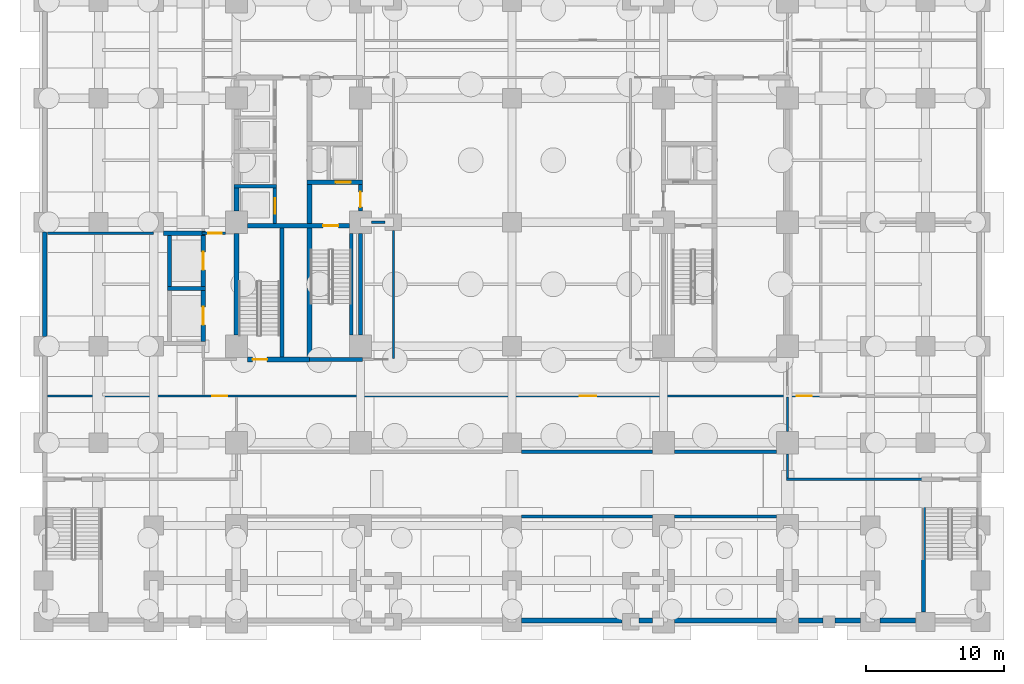
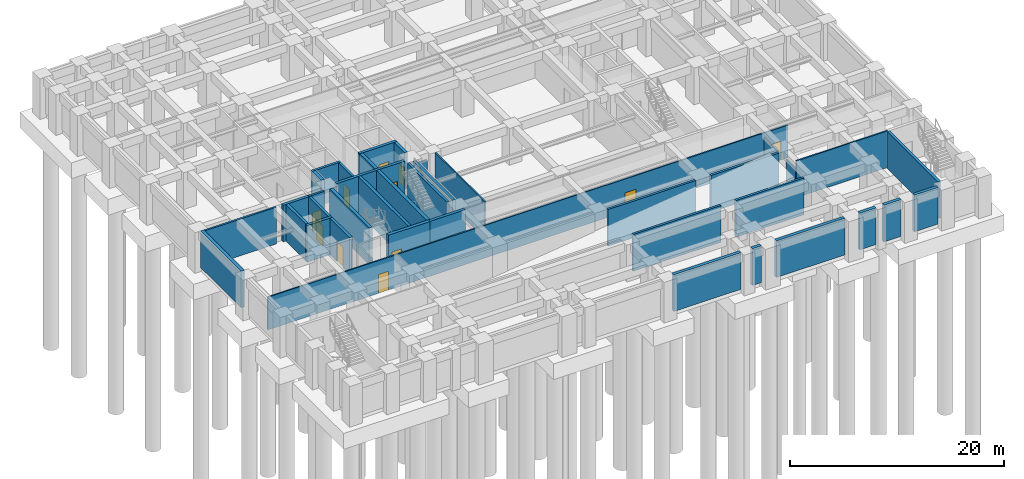
# One storey, part 6 of 16: 39 walls, 11 doors, 11 openings.
"""IFC4 building model written with IfcOpenShell, lengths in metres."""

from ifc_helpers import new_model, si_unit, direction, frame, frame_2d, origin, place, context, subcontext, project, spatial, rectangle, extrude, material, layer, layer_set, type_object, element, fill, save


model = new_model("IFC4")

# Units and contexts
model_context = context("Model", 3, precision=1e-05, world=origin(), true_north=direction((0.0, 1.0)))
body_context = subcontext(model_context, "Body", "Model", "MODEL_VIEW")
ifc_project = project(units=[si_unit("LENGTHUNIT", "METRE"), si_unit("AREAUNIT", "SQUARE_METRE"), si_unit("VOLUMEUNIT", "CUBIC_METRE"), si_unit("PLANEANGLEUNIT", "RADIAN"), si_unit("MASSUNIT", "GRAM", prefix="KILO")], contexts=[model_context])

# Site, building, storey
site_placement = place(None, origin())
site = spatial("IfcSite", under=ifc_project, at=site_placement, CompositionType="ELEMENT")
building_placement = place(site_placement, origin())
building = spatial("IfcBuilding", under=site, at=building_placement, Name="Zulmaris Gate Convention Tower", CompositionType="ELEMENT")
storey_placement = place(building_placement, frame((0.0, 0.0, -9.10009765625)))
storey = spatial("IfcBuildingStorey", under=building, at=storey_placement, Name="B2", CompositionType="ELEMENT", Elevation=-9.10009765625)

# Walls
ifc_material_1 = material(Name="Concrete C50/60", Category="concrete")
ifc_layer_1 = layer(ifc_material_1, 0.25, Name="Concrete C50/60")
ifc_layer_set_1 = layer_set([ifc_layer_1], Name="Concrete C50/60")
wall_type_1 = type_object("IfcWallType", Name="CORE-250", PredefinedType="SOLIDWALL", material=ifc_layer_set_1)
wall_1_placement = place(storey_placement, frame((0.7041015625, -21.35009765625, 0.0), z_axis=(0.0, 0.0, 1.0), x_axis=(1.0, 0.0, 0.0)))
element("IfcWall", 1, at=wall_1_placement, inside=storey, type_object=wall_type_1, Name="WL-B2-002S2", PredefinedType="SOLIDWALL", context=body_context, shape_type="SweptSolid", body=[
    extrude(rectangle(XDim=9.491943359375, YDim=0.25, at=frame_2d((4.74609375, 0.0))), origin(), (0.0, 0.0, 1.0), 4.2001953125),
])
wall_2_placement = place(storey_placement, frame((11.803955078125, -21.35009765625, 0.0), z_axis=(0.0, 0.0, 1.0), x_axis=(1.0, 0.0, 0.0)))
element("IfcWall", 2, at=wall_2_placement, inside=storey, type_object=wall_type_1, Name="WL-B2-002S3", PredefinedType="SOLIDWALL", context=body_context, shape_type="SweptSolid", body=[
    extrude(rectangle(XDim=7.39208984375, YDim=0.25, at=frame_2d((3.696044921875, 0.0))), origin(), (0.0, 0.0, 1.0), 4.2001953125),
])
wall_3_placement = place(storey_placement, frame((0.7041015625, -16.64990234375, 0.0), z_axis=(0.0, 0.0, 1.0), x_axis=(1.0, 0.0, 0.0)))
element("IfcWall", 3, at=wall_3_placement, inside=storey, type_object=wall_type_1, Name="WL-B2-005S2", PredefinedType="SOLIDWALL", context=body_context, shape_type="SweptSolid", body=[
    extrude(rectangle(XDim=9.491943359375, YDim=0.25, at=frame_2d((4.74609375, 0.0))), origin(), (0.0, 0.0, 1.0), 4.2001953125),
])
wall_4_placement = place(storey_placement, frame((11.803955078125, -16.64990234375, 0.0), z_axis=(0.0, 0.0, 1.0), x_axis=(1.0, 0.0, 0.0)))
element("IfcWall", 4, at=wall_4_placement, inside=storey, type_object=wall_type_1, Name="WL-B2-005S3", PredefinedType="SOLIDWALL", context=body_context, shape_type="SweptSolid", body=[
    extrude(rectangle(XDim=7.39208984375, YDim=0.25, at=frame_2d((3.696044921875, 0.0))), origin(), (0.0, 0.0, 1.0), 4.2001953125),
])
wall_5_placement = place(storey_placement, frame((-20.175048828125, 2.60009765625, 0.0), z_axis=(0.0, 0.0, 1.0), x_axis=(1.0, 0.0, 0.0)))
element("IfcWall", 5, at=wall_5_placement, inside=storey, type_object=wall_type_1, Name="WL-B2-015", PredefinedType="SOLIDWALL", context=body_context, shape_type="SweptSolid", body=[
    extrude(rectangle(XDim=3.10009765625, YDim=0.25, at=frame_2d((1.550048828125, 0.0))), origin(), (0.0, 0.0, 1.0), 4.2001953125),
])

# Wall, opening, door
wall_6_placement = place(storey_placement, frame((-17.199951171875, -0.097900390625, 0.0), z_axis=(0.0, 0.0, 1.0), x_axis=(0.0, 1.0, 0.0)))
wall_6 = element("IfcWall", 6, at=wall_6_placement, inside=storey, type_object=wall_type_1, Name="WL-B2-057", PredefinedType="SOLIDWALL", context=body_context, shape_type="SweptSolid", body=[
    extrude(rectangle(XDim=2.57080078125, YDim=0.25, at=frame_2d((1.285400390625, 0.0))), origin(), (0.0, 0.0, 1.0), 4.2001953125),
])
opening_1_placement = place(wall_6_placement, frame((0.722900390625, 0.0, 0.0)))
opening_1 = element("IfcOpeningElement", 7, at=opening_1_placement, cuts=wall_6, Name="Opening D-06", PredefinedType="OPENING", context=body_context, shape_type="SweptSolid", body=[
    extrude(rectangle(XDim=1.10009765625, YDim=2.199951171875, at=frame_2d((0.550048828125, 1.10009765625))), frame((0.0, 0.135009765625, 0.0), z_axis=(0.0, -1.0, 0.0), x_axis=(1.0, 0.0, 0.0)), (0.0, 0.0, 1.0), 0.27001953125),
])
ifc_material_2 = material(Name="Brushed Stainless Steel", Category="steel")
door_type_1 = type_object("IfcDoorType", Name="LD-1100", OperationType="NOTDEFINED", PredefinedType="DOOR", material=ifc_material_2)
door_1_placement = place(opening_1_placement, origin())
door_1 = element("IfcDoor", 8, at=door_1_placement, inside=storey, type_object=door_type_1, Name="B2 Lift Landing Door LP-01 11", OperationType="SLIDING_TO_LEFT", OverallHeight=2.199951171875, OverallWidth=1.10009765625, PredefinedType="DOOR", context=body_context, shape_type="SweptSolid", body=[
    extrude(rectangle(XDim=1.10009765625, YDim=2.199951171875, at=frame_2d((0.550048828125, 1.10009765625))), frame((0.0, 0.02490234375, 0.0), z_axis=(0.0, -1.0, 0.0), x_axis=(1.0, 0.0, 0.0)), (0.0, 0.0, 1.0), 0.050048828125),
])
fill(opening_1, door_1)

# Walls
wall_7_placement = place(storey_placement, frame((-11.64990234375, -8.196044921875, 0.0), z_axis=(0.0, 0.0, 1.0), x_axis=(0.0, 1.0, 0.0)))
element("IfcWall", 9, at=wall_7_placement, inside=storey, type_object=wall_type_1, Name="WL-B2-067", PredefinedType="SOLIDWALL", context=body_context, shape_type="SweptSolid", body=[
    extrude(rectangle(XDim=7.39208984375, YDim=0.25, at=frame_2d((3.696044921875, 0.0))), origin(), (0.0, 0.0, 1.0), 4.2001953125),
])
ifc_layer_2 = layer(ifc_material_1, 0.300048828125, Name="Concrete C50/60")
ifc_layer_set_2 = layer_set([ifc_layer_2], Name="Concrete C50/60")
wall_type_2 = type_object("IfcWallType", Name="CORE-300", PredefinedType="SHEAR", material=ifc_layer_set_2)
wall_8_placement = place(storey_placement, frame((-14.699951171875, -9.949951171875, 0.0), z_axis=(0.0, 0.0, 1.0), x_axis=(1.0, 0.0, 0.0)))
element("IfcWall", 10, at=wall_8_placement, inside=storey, type_object=wall_type_2, Name="WL-B2-007", PredefinedType="SHEAR", context=body_context, shape_type="SweptSolid", body=[
    extrude(rectangle(XDim=3.849853515625, YDim=0.300048828125, at=frame_2d((1.9248046875, 0.0))), origin(), (0.0, 0.0, 1.0), 4.2001953125),
])
wall_9_placement = place(storey_placement, frame((-25.0, -4.800048828125, 0.0), z_axis=(0.0, 0.0, 1.0), x_axis=(1.0, 0.0, 0.0)))
element("IfcWall", 11, at=wall_9_placement, inside=storey, type_object=wall_type_2, Name="WL-B2-011", PredefinedType="SHEAR", context=body_context, shape_type="SweptSolid", body=[
    extrude(rectangle(XDim=2.75, YDim=0.300048828125, at=frame_2d((1.375, 0.0))), origin(), (0.0, 0.0, 1.0), 4.2001953125),
])
wall_10_placement = place(storey_placement, frame((-25.2958984375, -0.800048828125, 0.0), z_axis=(0.0, 0.0, 1.0), x_axis=(1.0, 0.0, 0.0)))
element("IfcWall", 12, at=wall_10_placement, inside=storey, type_object=wall_type_2, Name="WL-B2-012", PredefinedType="SHEAR", context=body_context, shape_type="SweptSolid", body=[
    extrude(rectangle(XDim=3.0458984375, YDim=0.300048828125, at=frame_2d((1.52294921875, 0.0))), origin(), (0.0, 0.0, 1.0), 4.2001953125),
])

# Wall, opening, door
wall_11_placement = place(storey_placement, frame((-19.196044921875, -0.25, 0.0), z_axis=(0.0, 0.0, 1.0), x_axis=(1.0, 0.0, 0.0)))
wall_11 = element("IfcWall", 13, at=wall_11_placement, inside=storey, type_object=wall_type_2, Name="WL-B2-013", PredefinedType="SHEAR", context=body_context, shape_type="SweptSolid", body=[
    extrude(rectangle(XDim=7.39208984375, YDim=0.300048828125, at=frame_2d((3.696044921875, 0.0))), origin(), (0.0, 0.0, 1.0), 4.2001953125),
])
opening_2_placement = place(wall_11_placement, frame((5.49609375, 0.0, 0.0)))
opening_2 = element("IfcOpeningElement", 14, at=opening_2_placement, cuts=wall_11, Name="Opening D-08", PredefinedType="OPENING", context=body_context, shape_type="SweptSolid", body=[
    extrude(rectangle(XDim=1.10009765625, YDim=2.14990234375, at=frame_2d((0.550048828125, 1.074951171875))), frame((0.0, 0.16015625, 0.0), z_axis=(0.0, -1.0, 0.0), x_axis=(1.0, 0.0, 0.0)), (0.0, 0.0, 1.0), 0.320068359375),
])
ifc_material_3 = material(Name="Fire-Rated Steel", Category="steel")
door_type_2 = type_object("IfcDoorType", Name="DR-1100-FD", OperationType="NOTDEFINED", PredefinedType="DOOR", material=ifc_material_3)
door_2_placement = place(opening_2_placement, origin())
door_2 = element("IfcDoor", 15, at=door_2_placement, inside=storey, type_object=door_type_2, Name="B2 Exit Stair ST-1 Door 01", OperationType="SINGLE_SWING_LEFT", OverallHeight=2.14990234375, OverallWidth=1.10009765625, PredefinedType="DOOR", context=body_context, shape_type="SweptSolid", body=[
    extrude(rectangle(XDim=1.10009765625, YDim=2.14990234375, at=frame_2d((0.550048828125, 1.074951171875))), frame((0.0, 0.02490234375, 0.0), z_axis=(0.0, -1.0, 0.0), x_axis=(1.0, 0.0, 0.0)), (0.0, 0.0, 1.0), 0.050048828125),
])
fill(opening_2, door_2)

wall_12_placement = place(storey_placement, frame((-14.875, 2.89990234375, 0.0), z_axis=(0.0, 0.0, 1.0), x_axis=(1.0, 0.0, 0.0)))
wall_12 = element("IfcWall", 16, at=wall_12_placement, inside=storey, type_object=wall_type_2, Name="WL-B2-016", PredefinedType="SHEAR", context=body_context, shape_type="SweptSolid", body=[
    extrude(rectangle(XDim=4.02490234375, YDim=0.300048828125, at=frame_2d((2.012451171875, 0.0))), origin(), (0.0, 0.0, 1.0), 4.2001953125),
])
opening_3_placement = place(wall_12_placement, frame((2.074951171875, 0.0, 0.0)))
opening_3 = element("IfcOpeningElement", 17, at=opening_3_placement, cuts=wall_12, Name="Opening D-06", PredefinedType="OPENING", context=body_context, shape_type="SweptSolid", body=[
    extrude(rectangle(XDim=1.10009765625, YDim=2.199951171875, at=frame_2d((0.550048828125, 1.10009765625))), frame((0.0, 0.16015625, 0.0), z_axis=(0.0, -1.0, 0.0), x_axis=(1.0, 0.0, 0.0)), (0.0, 0.0, 1.0), 0.320068359375),
])
door_3_placement = place(opening_3_placement, origin())
door_3 = element("IfcDoor", 18, at=door_3_placement, inside=storey, type_object=door_type_1, Name="B2 Lift Landing Door LF-01 03", OperationType="SLIDING_TO_LEFT", OverallHeight=2.199951171875, OverallWidth=1.10009765625, PredefinedType="DOOR", context=body_context, shape_type="SweptSolid", body=[
    extrude(rectangle(XDim=1.10009765625, YDim=2.199951171875, at=frame_2d((0.550048828125, 1.10009765625))), frame((0.0, 0.02490234375, 0.0), z_axis=(0.0, -1.0, 0.0), x_axis=(1.0, 0.0, 0.0)), (0.0, 0.0, 1.0), 0.050048828125),
])
fill(opening_3, door_3)

# Wall
wall_13_placement = place(storey_placement, frame((-24.85009765625, -4.64794921875, 0.0), z_axis=(0.0, 0.0, 1.0), x_axis=(0.0, 1.0, 0.0)))
element("IfcWall", 19, at=wall_13_placement, inside=storey, type_object=wall_type_2, Name="WL-B2-049", PredefinedType="SHEAR", context=body_context, shape_type="SweptSolid", body=[
    extrude(rectangle(XDim=3.696044921875, YDim=0.300048828125, at=frame_2d((1.84814453125, 0.0))), origin(), (0.0, 0.0, 1.0), 4.2001953125),
])

# Wall, opening, door
wall_14_placement = place(storey_placement, frame((-22.39990234375, -8.64794921875, 0.0), z_axis=(0.0, 0.0, 1.0), x_axis=(0.0, 1.0, 0.0)))
wall_14 = element("IfcWall", 20, at=wall_14_placement, inside=storey, type_object=wall_type_2, Name="WL-B2-050", PredefinedType="SHEAR", context=body_context, shape_type="SweptSolid", body=[
    extrude(rectangle(XDim=3.696044921875, YDim=0.300048828125, at=frame_2d((1.84814453125, 0.0))), origin(), (0.0, 0.0, 1.0), 4.2001953125),
])
opening_4_placement = place(wall_14_placement, frame((1.197998046875, 0.0, 0.0)))
opening_4 = element("IfcOpeningElement", 21, at=opening_4_placement, cuts=wall_14, Name="Opening D-07", PredefinedType="OPENING", context=body_context, shape_type="SweptSolid", body=[
    extrude(rectangle(XDim=1.300048828125, YDim=2.300048828125, at=frame_2d((0.64990234375, 1.14990234375))), frame((0.0, 0.16015625, 0.0), z_axis=(0.0, -1.0, 0.0), x_axis=(1.0, 0.0, 0.0)), (0.0, 0.0, 1.0), 0.320068359375),
])
ifc_material_4 = material(Name="Heavy-Duty Brushed Stainless Steel", Category="steel")
door_type_3 = type_object("IfcDoorType", Name="LD-1300", OperationType="NOTDEFINED", PredefinedType="DOOR", material=ifc_material_4)
door_4_placement = place(opening_4_placement, origin())
door_4 = element("IfcDoor", 22, at=door_4_placement, inside=storey, type_object=door_type_3, Name="B2 Goods Lift Door GL-01 16", OperationType="SLIDING_TO_LEFT", OverallHeight=2.300048828125, OverallWidth=1.300048828125, PredefinedType="DOOR", context=body_context, shape_type="SweptSolid", body=[
    extrude(rectangle(XDim=1.300048828125, YDim=2.300048828125, at=frame_2d((0.64990234375, 1.14990234375))), frame((0.0, 0.02490234375, 0.0), z_axis=(0.0, -1.0, 0.0), x_axis=(1.0, 0.0, 0.0)), (0.0, 0.0, 1.0), 0.050048828125),
])
fill(opening_4, door_4)

wall_15_placement = place(storey_placement, frame((-22.39990234375, -4.64794921875, 0.0), z_axis=(0.0, 0.0, 1.0), x_axis=(0.0, 1.0, 0.0)))
wall_15 = element("IfcWall", 23, at=wall_15_placement, inside=storey, type_object=wall_type_2, Name="WL-B2-051", PredefinedType="SHEAR", context=body_context, shape_type="SweptSolid", body=[
    extrude(rectangle(XDim=3.696044921875, YDim=0.300048828125, at=frame_2d((1.84814453125, 0.0))), origin(), (0.0, 0.0, 1.0), 4.2001953125),
])
opening_5_placement = place(wall_15_placement, frame((1.197998046875, 0.0, 0.0)))
opening_5 = element("IfcOpeningElement", 24, at=opening_5_placement, cuts=wall_15, Name="Opening D-07", PredefinedType="OPENING", context=body_context, shape_type="SweptSolid", body=[
    extrude(rectangle(XDim=1.300048828125, YDim=2.300048828125, at=frame_2d((0.64990234375, 1.14990234375))), frame((0.0, 0.16015625, 0.0), z_axis=(0.0, -1.0, 0.0), x_axis=(1.0, 0.0, 0.0)), (0.0, 0.0, 1.0), 0.320068359375),
])
door_5_placement = place(opening_5_placement, origin())
door_5 = element("IfcDoor", 25, at=door_5_placement, inside=storey, type_object=door_type_3, Name="B2 Goods Lift Door GL-02 17", OperationType="SLIDING_TO_LEFT", OverallHeight=2.300048828125, OverallWidth=1.300048828125, PredefinedType="DOOR", context=body_context, shape_type="SweptSolid", body=[
    extrude(rectangle(XDim=1.300048828125, YDim=2.300048828125, at=frame_2d((0.64990234375, 1.14990234375))), frame((0.0, 0.02490234375, 0.0), z_axis=(0.0, -1.0, 0.0), x_axis=(1.0, 0.0, 0.0)), (0.0, 0.0, 1.0), 0.050048828125),
])
fill(opening_5, door_5)

# Walls
wall_16_placement = place(storey_placement, frame((-16.699951171875, -9.77294921875, 0.0), z_axis=(0.0, 0.0, 1.0), x_axis=(0.0, 1.0, 0.0)))
element("IfcWall", 26, at=wall_16_placement, inside=storey, type_object=wall_type_2, Name="WL-B2-061", PredefinedType="SHEAR", context=body_context, shape_type="SweptSolid", body=[
    extrude(rectangle(XDim=9.370849609375, YDim=0.300048828125, at=frame_2d((4.685546875, 0.0))), origin(), (0.0, 0.0, 1.0), 4.2001953125),
])
wall_17_placement = place(storey_placement, frame((-11.0, -8.196044921875, 0.0), z_axis=(0.0, 0.0, 1.0), x_axis=(0.0, 1.0, 0.0)))
element("IfcWall", 27, at=wall_17_placement, inside=storey, type_object=wall_type_2, Name="WL-B2-068", PredefinedType="SHEAR", context=body_context, shape_type="SweptSolid", body=[
    extrude(rectangle(XDim=7.39208984375, YDim=0.300048828125, at=frame_2d((3.696044921875, 0.0))), origin(), (0.0, 0.0, 1.0), 4.2001953125),
])

# Wall, opening, door
wall_18_placement = place(storey_placement, frame((-11.0, 0.803955078125, 0.0), z_axis=(0.0, 0.0, 1.0), x_axis=(0.0, 1.0, 0.0)))
wall_18 = element("IfcWall", 28, at=wall_18_placement, inside=storey, type_object=wall_type_2, Name="WL-B2-069", PredefinedType="SHEAR", context=body_context, shape_type="SweptSolid", body=[
    extrude(rectangle(XDim=1.944091796875, YDim=0.300048828125, at=frame_2d((0.97216796875, 0.0))), origin(), (0.0, 0.0, 1.0), 4.2001953125),
])
opening_6_placement = place(wall_18_placement, frame((0.2958984375, 0.0, 0.0)))
opening_6 = element("IfcOpeningElement", 29, at=opening_6_placement, cuts=wall_18, Name="Opening D-08", PredefinedType="OPENING", context=body_context, shape_type="SweptSolid", body=[
    extrude(rectangle(XDim=1.10009765625, YDim=2.14990234375, at=frame_2d((0.550048828125, 1.074951171875))), frame((0.0, 0.16015625, 0.0), z_axis=(0.0, -1.0, 0.0), x_axis=(1.0, 0.0, 0.0)), (0.0, 0.0, 1.0), 0.320068359375),
])
door_6_placement = place(opening_6_placement, origin())
door_6 = element("IfcDoor", 30, at=door_6_placement, inside=storey, type_object=door_type_2, Name="B2 West Firefighting Lobby Door 02", OperationType="SINGLE_SWING_RIGHT", OverallHeight=2.14990234375, OverallWidth=1.10009765625, PredefinedType="DOOR", context=body_context, shape_type="SweptSolid", body=[
    extrude(rectangle(XDim=1.10009765625, YDim=2.14990234375, at=frame_2d((0.550048828125, 1.074951171875))), frame((0.0, 0.02490234375, 0.0), z_axis=(0.0, -1.0, 0.0), x_axis=(1.0, 0.0, 0.0)), (0.0, 0.0, 1.0), 0.050048828125),
])
fill(opening_6, door_6)

# Walls
wall_19_placement = place(storey_placement, frame((29.85009765625, -28.2958984375, 0.0), z_axis=(0.0, 0.0, 1.0), x_axis=(0.0, 1.0, 0.0)))
element("IfcWall", 31, at=wall_19_placement, inside=storey, type_object=wall_type_2, Name="WL-B2-083", PredefinedType="SHEAR", context=body_context, shape_type="SweptSolid", body=[
    extrude(rectangle(XDim=9.493896484375, YDim=0.300048828125, at=frame_2d((4.7470703125, 0.0))), origin(), (0.0, 0.0, 1.0), 4.2001953125),
])
ifc_material_5 = material(Name="Concrete C55/67", Category="concrete")
ifc_layer_3 = layer(ifc_material_5, 0.35009765625, Name="Concrete C55/67")
ifc_layer_set_3 = layer_set([ifc_layer_3], Name="Concrete C55/67")
wall_type_3 = type_object("IfcWallType", Name="CORE-350", PredefinedType="SHEAR", material=ifc_layer_set_3)
wall_20_placement = place(storey_placement, frame((0.7041015625, -28.89990234375, 0.0), z_axis=(0.0, 0.0, 1.0), x_axis=(1.0, 0.0, 0.0)))
element("IfcWall", 32, at=wall_20_placement, inside=storey, type_object=wall_type_3, Name="WL-B2-001S7", PredefinedType="SHEAR", context=body_context, shape_type="SweptSolid", body=[
    extrude(rectangle(XDim=7.2919921875, YDim=0.35009765625, at=frame_2d((3.64599609375, 0.0))), origin(), (0.0, 0.0, 1.0), 4.2001953125),
])
wall_21_placement = place(storey_placement, frame((9.2041015625, -28.89990234375, 0.0), z_axis=(0.0, 0.0, 1.0), x_axis=(1.0, 0.0, 0.0)))
element("IfcWall", 33, at=wall_21_placement, inside=storey, type_object=wall_type_3, Name="WL-B2-001S8", PredefinedType="SHEAR", context=body_context, shape_type="SweptSolid", body=[
    extrude(rectangle(XDim=0.991943359375, YDim=0.35009765625, at=frame_2d((0.49609375, 0.0))), origin(), (0.0, 0.0, 1.0), 4.2001953125),
])
wall_22_placement = place(storey_placement, frame((11.803955078125, -28.89990234375, 0.0), z_axis=(0.0, 0.0, 1.0), x_axis=(1.0, 0.0, 0.0)))
element("IfcWall", 34, at=wall_22_placement, inside=storey, type_object=wall_type_3, Name="WL-B2-001S9", PredefinedType="SHEAR", context=body_context, shape_type="SweptSolid", body=[
    extrude(rectangle(XDim=7.39208984375, YDim=0.35009765625, at=frame_2d((3.696044921875, 0.0))), origin(), (0.0, 0.0, 1.0), 4.2001953125),
])
wall_23_placement = place(storey_placement, frame((20.803955078125, -28.89990234375, 0.0), z_axis=(0.0, 0.0, 1.0), x_axis=(1.0, 0.0, 0.0)))
element("IfcWall", 35, at=wall_23_placement, inside=storey, type_object=wall_type_3, Name="WL-B2-001S10", PredefinedType="SHEAR", context=body_context, shape_type="SweptSolid", body=[
    extrude(rectangle(XDim=1.76708984375, YDim=0.35009765625, at=frame_2d((0.883544921875, 0.0))), origin(), (0.0, 0.0, 1.0), 4.2001953125),
])
wall_24_placement = place(storey_placement, frame((23.428955078125, -28.89990234375, 0.0), z_axis=(0.0, 0.0, 1.0), x_axis=(1.0, 0.0, 0.0)))
element("IfcWall", 36, at=wall_24_placement, inside=storey, type_object=wall_type_3, Name="WL-B2-001S11", PredefinedType="SHEAR", context=body_context, shape_type="SweptSolid", body=[
    extrude(rectangle(XDim=1.866943359375, YDim=0.35009765625, at=frame_2d((0.93359375, 0.0))), origin(), (0.0, 0.0, 1.0), 4.2001953125),
])
wall_25_placement = place(storey_placement, frame((26.7041015625, -28.89990234375, 0.0), z_axis=(0.0, 0.0, 1.0), x_axis=(1.0, 0.0, 0.0)))
element("IfcWall", 37, at=wall_25_placement, inside=storey, type_object=wall_type_3, Name="WL-B2-001S12", PredefinedType="SHEAR", context=body_context, shape_type="SweptSolid", body=[
    extrude(rectangle(XDim=2.591796875, YDim=0.35009765625, at=frame_2d((1.2958984375, 0.0))), origin(), (0.0, 0.0, 1.0), 4.2001953125),
])

# Wall, opening, door
wall_26_placement = place(storey_placement, frame((-19.196044921875, -9.949951171875, 0.0), z_axis=(0.0, 0.0, 1.0), x_axis=(1.0, 0.0, 0.0)))
wall_26 = element("IfcWall", 38, at=wall_26_placement, inside=storey, type_object=wall_type_3, Name="WL-B2-006", PredefinedType="SHEAR", context=body_context, shape_type="SweptSolid", body=[
    extrude(rectangle(XDim=4.49609375, YDim=0.35009765625, at=frame_2d((2.248046875, 0.0))), origin(), (0.0, 0.0, 1.0), 4.2001953125),
])
opening_7_placement = place(wall_26_placement, frame((0.37109375, 0.0, 0.0)))
opening_7 = element("IfcOpeningElement", 39, at=opening_7_placement, cuts=wall_26, Name="Opening D-09", PredefinedType="OPENING", context=body_context, shape_type="SweptSolid", body=[
    extrude(rectangle(XDim=1.050048828125, YDim=2.14990234375, at=frame_2d((0.52490234375, 1.074951171875))), frame((0.0, 0.18505859375, 0.0), z_axis=(0.0, -1.0, 0.0), x_axis=(1.0, 0.0, 0.0)), (0.0, 0.0, 1.0), 0.3701171875),
])
door_type_4 = type_object("IfcDoorType", Name="DR-1050-FD", OperationType="NOTDEFINED", PredefinedType="DOOR", material=ifc_material_3)
door_7_placement = place(opening_7_placement, origin())
door_7 = element("IfcDoor", 40, at=door_7_placement, inside=storey, type_object=door_type_4, Name="B2 Exit Stair ST-3 Door 09", OperationType="SINGLE_SWING_LEFT", OverallHeight=2.14990234375, OverallWidth=1.050048828125, PredefinedType="DOOR", context=body_context, shape_type="SweptSolid", body=[
    extrude(rectangle(XDim=1.050048828125, YDim=2.14990234375, at=frame_2d((0.52490234375, 1.074951171875))), frame((0.0, 0.02490234375, 0.0), z_axis=(0.0, -1.0, 0.0), x_axis=(1.0, 0.0, 0.0)), (0.0, 0.0, 1.0), 0.050048828125),
])
fill(opening_7, door_7)

# Walls
wall_27_placement = place(storey_placement, frame((-33.89990234375, -8.2958984375, 0.0), z_axis=(0.0, 0.0, 1.0), x_axis=(0.0, 1.0, 0.0)))
element("IfcWall", 41, at=wall_27_placement, inside=storey, type_object=wall_type_3, Name="WL-B2-046S2", PredefinedType="SHEAR", context=body_context, shape_type="SweptSolid", body=[
    extrude(rectangle(XDim=7.591796875, YDim=0.35009765625, at=frame_2d((3.7958984375, 0.0))), origin(), (0.0, 0.0, 1.0), 4.2001953125),
])
wall_28_placement = place(storey_placement, frame((-20.0, -8.196044921875, 0.0), z_axis=(0.0, 0.0, 1.0), x_axis=(0.0, 1.0, 0.0)))
element("IfcWall", 42, at=wall_28_placement, inside=storey, type_object=wall_type_3, Name="WL-B2-052", PredefinedType="SHEAR", context=body_context, shape_type="SweptSolid", body=[
    extrude(rectangle(XDim=7.39208984375, YDim=0.35009765625, at=frame_2d((3.696044921875, 0.0))), origin(), (0.0, 0.0, 1.0), 4.2001953125),
])
wall_29_placement = place(storey_placement, frame((-20.0, 0.803955078125, 0.0), z_axis=(0.0, 0.0, 1.0), x_axis=(0.0, 1.0, 0.0)))
element("IfcWall", 43, at=wall_29_placement, inside=storey, type_object=wall_type_3, Name="WL-B2-053", PredefinedType="SHEAR", context=body_context, shape_type="SweptSolid", body=[
    extrude(rectangle(XDim=1.6689453125, YDim=0.35009765625, at=frame_2d((0.83447265625, 0.0))), origin(), (0.0, 0.0, 1.0), 4.2001953125),
])
wall_30_placement = place(storey_placement, frame((-14.699951171875, -9.77294921875, 0.0), z_axis=(0.0, 0.0, 1.0), x_axis=(0.0, 1.0, 0.0)))
element("IfcWall", 44, at=wall_30_placement, inside=storey, type_object=wall_type_3, Name="WL-B2-062", PredefinedType="SHEAR", context=body_context, shape_type="SweptSolid", body=[
    extrude(rectangle(XDim=9.370849609375, YDim=0.35009765625, at=frame_2d((4.685546875, 0.0))), origin(), (0.0, 0.0, 1.0), 4.2001953125),
])
wall_31_placement = place(storey_placement, frame((-14.699951171875, -0.097900390625, 0.0), z_axis=(0.0, 0.0, 1.0), x_axis=(0.0, 1.0, 0.0)))
element("IfcWall", 45, at=wall_31_placement, inside=storey, type_object=wall_type_3, Name="WL-B2-063", PredefinedType="SHEAR", context=body_context, shape_type="SweptSolid", body=[
    extrude(rectangle(XDim=2.845947265625, YDim=0.35009765625, at=frame_2d((1.4228515625, 0.0))), origin(), (0.0, 0.0, 1.0), 4.2001953125),
])
ifc_material_6 = material(Name="Gypsum Metal Stud Partition")
ifc_layer_4 = layer(ifc_material_6, 0.14990234375, Name="Gypsum Metal Stud Partition")
ifc_layer_set_4 = layer_set([ifc_layer_4], Name="Gypsum Metal Stud Partition")
wall_type_4 = type_object("IfcWallType", Name="PART-150", PredefinedType="PARTITIONING", material=ifc_layer_set_4)
wall_32_placement = place(storey_placement, frame((19.925048828125, -18.64990234375, 0.0), z_axis=(0.0, 0.0, 1.0), x_axis=(1.0, 0.0, 0.0)))
element("IfcWall", 46, at=wall_32_placement, inside=storey, type_object=wall_type_4, Name="WL-B2-029", PredefinedType="PARTITIONING", context=body_context, shape_type="SweptSolid", body=[
    extrude(rectangle(XDim=9.925048828125, YDim=0.14990234375, at=frame_2d((4.96240234375, 0.0))), origin(), (0.0, 0.0, 1.0), 4.2001953125),
])

# Wall, openings, doors
wall_33_placement = place(storey_placement, frame((-33.721923828125, -12.60009765625, 0.0), z_axis=(0.0, 0.0, 1.0), x_axis=(1.0, 0.0, 0.0)))
wall_33 = element("IfcWall", 47, at=wall_33_placement, inside=storey, type_object=wall_type_4, Name="WL-B2-030", PredefinedType="PARTITIONING", context=body_context, shape_type="SweptSolid", body=[
    extrude(rectangle(XDim=56.221923828125, YDim=0.14990234375, at=frame_2d((28.11083984375, 0.0))), origin(), (0.0, 0.0, 1.0), 3.739990234375),
])
opening_8_placement = place(wall_33_placement, frame((11.971923828125, 0.0, 0.0)))
opening_8 = element("IfcOpeningElement", 48, at=opening_8_placement, cuts=wall_33, Name="Opening D-08", PredefinedType="OPENING", context=body_context, shape_type="SweptSolid", body=[
    extrude(rectangle(XDim=1.10009765625, YDim=2.14990234375, at=frame_2d((0.550048828125, 1.074951171875))), frame((0.0, 0.0849609375, 0.0), z_axis=(0.0, -1.0, 0.0), x_axis=(1.0, 0.0, 0.0)), (0.0, 0.0, 1.0), 0.169921875),
])
opening_9_placement = place(wall_33_placement, frame((54.3720703125, 0.0, 0.0)))
opening_9 = element("IfcOpeningElement", 49, at=opening_9_placement, cuts=wall_33, Name="Opening D-08", PredefinedType="OPENING", context=body_context, shape_type="SweptSolid", body=[
    extrude(rectangle(XDim=1.10009765625, YDim=2.14990234375, at=frame_2d((0.550048828125, 1.074951171875))), frame((0.0, 0.0849609375, 0.0), z_axis=(0.0, -1.0, 0.0), x_axis=(1.0, 0.0, 0.0)), (0.0, 0.0, 1.0), 0.169921875),
])
opening_10_placement = place(wall_33_placement, frame((38.6220703125, 0.0, 0.0)))
opening_10 = element("IfcOpeningElement", 50, at=opening_10_placement, cuts=wall_33, Name="Opening D-13", PredefinedType="OPENING", context=body_context, shape_type="SweptSolid", body=[
    extrude(rectangle(XDim=1.199951171875, YDim=2.14990234375, at=frame_2d((0.60009765625, 1.074951171875))), frame((0.0, 0.0849609375, 0.0), z_axis=(0.0, -1.0, 0.0), x_axis=(1.0, 0.0, 0.0)), (0.0, 0.0, 1.0), 0.169921875),
])
door_8_placement = place(opening_8_placement, origin())
door_8 = element("IfcDoor", 51, at=door_8_placement, inside=storey, type_object=door_type_2, Name="B2 SW Stair Passage Link Door 27", OperationType="SINGLE_SWING_LEFT", OverallHeight=2.14990234375, OverallWidth=1.10009765625, PredefinedType="DOOR", context=body_context, shape_type="SweptSolid", body=[
    extrude(rectangle(XDim=1.10009765625, YDim=2.14990234375, at=frame_2d((0.550048828125, 1.074951171875))), frame((0.0, 0.02490234375, 0.0), z_axis=(0.0, -1.0, 0.0), x_axis=(1.0, 0.0, 0.0)), (0.0, 0.0, 1.0), 0.050048828125),
])
fill(opening_8, door_8)
door_9_placement = place(opening_9_placement, origin())
door_9 = element("IfcDoor", 52, at=door_9_placement, inside=storey, type_object=door_type_2, Name="B2 SE Stair Corridor Link Door 31", OperationType="SINGLE_SWING_LEFT", OverallHeight=2.14990234375, OverallWidth=1.10009765625, PredefinedType="DOOR", context=body_context, shape_type="SweptSolid", body=[
    extrude(rectangle(XDim=1.10009765625, YDim=2.14990234375, at=frame_2d((0.550048828125, 1.074951171875))), frame((0.0, 0.02490234375, 0.0), z_axis=(0.0, -1.0, 0.0), x_axis=(1.0, 0.0, 0.0)), (0.0, 0.0, 1.0), 0.050048828125),
])
fill(opening_9, door_9)
door_type_5 = type_object("IfcDoorType", Name="DR-1200-FD", OperationType="NOTDEFINED", PredefinedType="DOOR", material=ifc_material_3)
door_10_placement = place(opening_10_placement, origin())
door_10 = element("IfcDoor", 53, at=door_10_placement, inside=storey, type_object=door_type_5, Name="B2 Car Park South Corridor Door 35", OperationType="SINGLE_SWING_LEFT", OverallHeight=2.14990234375, OverallWidth=1.199951171875, PredefinedType="DOOR", context=body_context, shape_type="SweptSolid", body=[
    extrude(rectangle(XDim=1.199951171875, YDim=2.14990234375, at=frame_2d((0.60009765625, 1.074951171875))), frame((0.0, 0.02490234375, 0.0), z_axis=(0.0, -1.0, 0.0), x_axis=(1.0, 0.0, 0.0)), (0.0, 0.0, 1.0), 0.050048828125),
])
fill(opening_10, door_10)

# Walls
wall_34_placement = place(storey_placement, frame((-10.194091796875, 0.0, 0.0), z_axis=(0.0, 0.0, 1.0), x_axis=(1.0, 0.0, 0.0)))
element("IfcWall", 54, at=wall_34_placement, inside=storey, type_object=wall_type_4, Name="WL-B2-036", PredefinedType="PARTITIONING", context=body_context, shape_type="SweptSolid", body=[
    extrude(rectangle(XDim=0.988037109375, YDim=0.14990234375, at=frame_2d((0.494140625, 0.0))), origin(), (0.0, 0.0, 1.0), 3.2421875),
])
wall_35_placement = place(storey_placement, frame((-8.60009765625, -9.8720703125, 0.0), z_axis=(0.0, 0.0, 1.0), x_axis=(0.0, 1.0, 0.0)))
element("IfcWall", 55, at=wall_35_placement, inside=storey, type_object=wall_type_4, Name="WL-B2-095", PredefinedType="PARTITIONING", context=body_context, shape_type="SweptSolid", body=[
    extrude(rectangle(XDim=9.26611328125, YDim=0.14990234375, at=frame_2d((4.633056640625, 0.0))), origin(), (0.0, 0.0, 1.0), 4.2001953125),
])
wall_36_placement = place(storey_placement, frame((20.0, -18.572021484375, 0.0), z_axis=(0.0, 0.0, 1.0), x_axis=(0.0, 1.0, 0.0)))
element("IfcWall", 56, at=wall_36_placement, inside=storey, type_object=wall_type_4, Name="WL-B2-099", PredefinedType="PARTITIONING", context=body_context, shape_type="SweptSolid", body=[
    extrude(rectangle(XDim=1.76611328125, YDim=0.14990234375, at=frame_2d((0.883056640625, 0.0))), origin(), (0.0, 0.0, 1.0), 3.2421875),
])
wall_37_placement = place(storey_placement, frame((20.0, -15.194091796875, 0.0), z_axis=(0.0, 0.0, 1.0), x_axis=(0.0, 1.0, 0.0)))
element("IfcWall", 57, at=wall_37_placement, inside=storey, type_object=wall_type_4, Name="WL-B2-100", PredefinedType="PARTITIONING", context=body_context, shape_type="SweptSolid", body=[
    extrude(rectangle(XDim=2.51611328125, YDim=0.14990234375, at=frame_2d((1.258056640625, 0.0))), origin(), (0.0, 0.0, 1.0), 3.2421875),
])
ifc_material_7 = material(Name="Autoclaved Aerated Concrete Block and Plasterboard", Category="concrete")
ifc_layer_5 = layer(ifc_material_7, 0.199951171875, Name="Autoclaved Aerated Concrete Block and Plasterboard")
ifc_layer_set_5 = layer_set([ifc_layer_5], Name="Autoclaved Aerated Concrete Block and Plasterboard")
wall_type_5 = type_object("IfcWallType", Name="PART-200", PredefinedType="PARTITIONING", material=ifc_layer_set_5)
wall_38_placement = place(storey_placement, frame((-33.721923828125, -0.800048828125, 0.0), z_axis=(0.0, 0.0, 1.0), x_axis=(1.0, 0.0, 0.0)))
element("IfcWall", 58, at=wall_38_placement, inside=storey, type_object=wall_type_5, Name="WL-B2-034", PredefinedType="PARTITIONING", context=body_context, shape_type="SweptSolid", body=[
    extrude(rectangle(XDim=7.721923828125, YDim=0.199951171875, at=frame_2d((3.86083984375, 0.0))), origin(), (0.0, 0.0, 1.0), 4.2001953125),
])

# Wall, opening, door
wall_39_placement = place(storey_placement, frame((-22.5, -0.800048828125, 0.0), z_axis=(0.0, 0.0, 1.0), x_axis=(1.0, 0.0, 0.0)))
wall_39 = element("IfcWall", 59, at=wall_39_placement, inside=storey, type_object=wall_type_5, Name="WL-B2-035", PredefinedType="PARTITIONING", context=body_context, shape_type="SweptSolid", body=[
    extrude(rectangle(XDim=1.694091796875, YDim=0.199951171875, at=frame_2d((0.84716796875, 0.0))), origin(), (0.0, 0.0, 1.0), 4.2001953125),
])
opening_11_placement = place(wall_39_placement, frame((0.449951171875, 0.0, 0.0)))
opening_11 = element("IfcOpeningElement", 60, at=opening_11_placement, cuts=wall_39, Name="Opening D-10", PredefinedType="OPENING", context=body_context, shape_type="SweptSolid", body=[
    extrude(rectangle(XDim=1.0, YDim=2.14990234375, at=frame_2d((0.5, 1.074951171875))), frame((0.0, 0.10986328125, 0.0), z_axis=(0.0, -1.0, 0.0), x_axis=(1.0, 0.0, 0.0)), (0.0, 0.0, 1.0), 0.219970703125),
])
ifc_material_8 = material(Name="Fire-Rated Timber", Category="wood")
door_type_6 = type_object("IfcDoorType", Name="DR-1000-FD", OperationType="NOTDEFINED", PredefinedType="DOOR", material=ifc_material_8)
door_11_placement = place(opening_11_placement, origin())
door_11 = element("IfcDoor", 61, at=door_11_placement, inside=storey, type_object=door_type_6, Name="B2 Goods Vestibule Door 18", OperationType="SINGLE_SWING_RIGHT", OverallHeight=2.14990234375, OverallWidth=1.0, PredefinedType="DOOR", context=body_context, shape_type="SweptSolid", body=[
    extrude(rectangle(XDim=1.0, YDim=2.14990234375, at=frame_2d((0.5, 1.074951171875))), frame((0.0, 0.02490234375, 0.0), z_axis=(0.0, -1.0, 0.0), x_axis=(1.0, 0.0, 0.0)), (0.0, 0.0, 1.0), 0.050048828125),
])
fill(opening_11, door_11)

save(model, "model.ifc")
